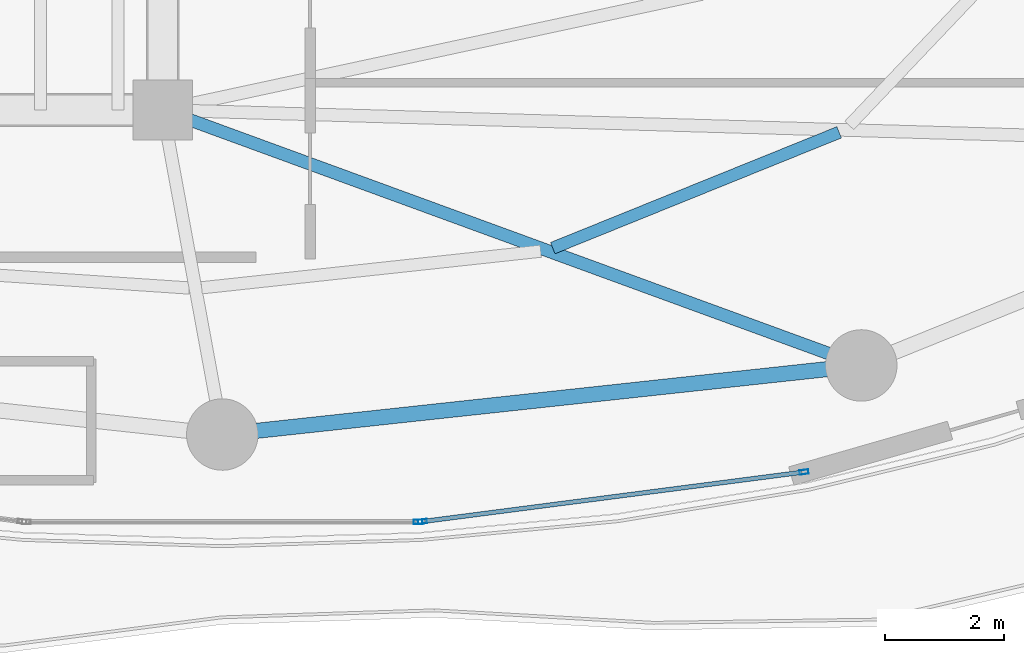
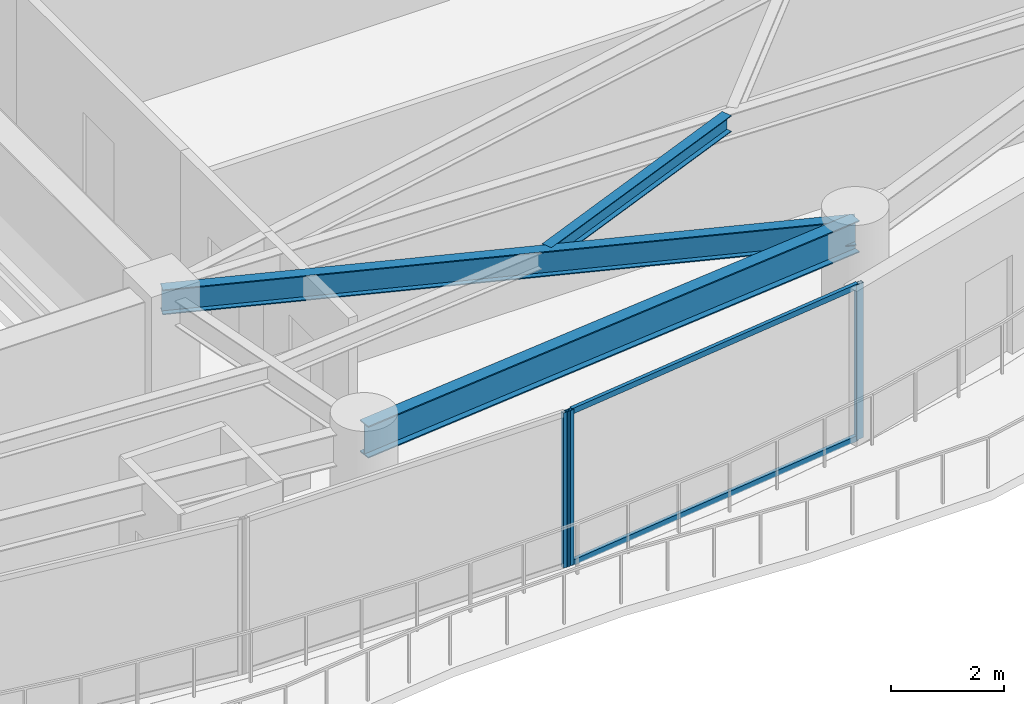
# One storey, part 9 of 28: 5 members, 3 beams, 2 elements without a shape of their own.
"""IFC4 building model written with IfcOpenShell, lengths in metres."""

from ifc_helpers import new_model, si_unit, direction, frame, origin, origin_2d, place, context, subcontext, project, spatial, hollow_rectangle, i_section, extrude, material, layer, layer_set, material_profile, profile_set, type_object, element, aggregate, save


model = new_model("IFC4")

# Units and contexts
model_context = context("Model", 3, precision=1e-05, world=origin(), true_north=direction((0.0, 1.0)))
body_context = subcontext(model_context, "Body", "Model", "MODEL_VIEW")
ifc_project = project(units=[si_unit("LENGTHUNIT", "METRE"), si_unit("AREAUNIT", "SQUARE_METRE"), si_unit("VOLUMEUNIT", "CUBIC_METRE"), si_unit("PLANEANGLEUNIT", "RADIAN"), si_unit("MASSUNIT", "GRAM", prefix="KILO")], contexts=[model_context])

# Site, building, storey
site_placement = place(None, origin())
site = spatial("IfcSite", under=ifc_project, at=site_placement, CompositionType="ELEMENT")
building_placement = place(site_placement, origin())
building = spatial("IfcBuilding", under=site, at=building_placement, Name="Kazevale Care Tower and Concert Hall", CompositionType="ELEMENT")
storey_placement = place(building_placement, frame((0.0, 0.0, 102.60009765625)))
storey = spatial("IfcBuildingStorey", under=building, at=storey_placement, Name="L26", CompositionType="ELEMENT", Elevation=102.60009765625)

# Curtain wall, members
ifc_material_1 = material(Name="Aluminium 6063-T6 and Low-E Glass", Category="aluminium")
ifc_layer = layer(ifc_material_1, 0.179931640625)
ifc_layer_set = layer_set([ifc_layer], Name="Aluminium 6063-T6 and Low-E Glass")
curtain_wall_type = type_object("IfcCurtainWallType", Name="Sheltered Concave Balcony Curtain Wall CW-5", PredefinedType="NOTDEFINED", material=ifc_layer_set)
curtain_wall_1_placement = place(storey_placement, origin())
curtain_wall_1 = element("IfcCurtainWall", 1, at=curtain_wall_1_placement, inside=storey, type_object=curtain_wall_type, Name="cw:L26:f05", PredefinedType="NOTDEFINED")
ifc_material_2 = material(Name="Aluminium 6063-T6", Category="aluminium")
ifc_material_profile_1 = material_profile(ifc_material_2, hollow_rectangle(XDim=0.074951171875, YDim=0.14990234375, WallThickness=0.00390625, at=origin_2d()), Name="ALU75x150x4")
ifc_profile_set_1 = profile_set([ifc_material_profile_1], Name="Aluminium 6063-T6")
member_type_1 = type_object("IfcMemberType", Name="CW-5 Mullion ALU75x150x4", PredefinedType="MULLION", material=ifc_profile_set_1)
member_1_placement = place(storey_placement, frame((54.768798828125, 17.520263671875, 0.0), z_axis=(0.0, 0.0, 1.0), x_axis=(0.12868500567, -0.991685519364, 0.0)))
member_1 = element("IfcMember", 2, at=member_1_placement, type_object=member_type_1, Name="CW-5 mullion 1", PredefinedType="MULLION", context=body_context, shape_type="SweptSolid", body=[
    extrude(hollow_rectangle(XDim=0.074951171875, YDim=0.14990234375, WallThickness=0.00390625, at=origin_2d()), origin(), (0.0, 0.0, 1.0), 3.35986328125),
])
member_2_placement = place(storey_placement, frame((48.3623046875, 16.688720703125, 0.0), z_axis=(0.0, 0.0, 1.0), x_axis=(0.12868500567, -0.991685519364, 0.0)))
member_2 = element("IfcMember", 3, at=member_2_placement, type_object=member_type_1, Name="CW-5 mullion 2", PredefinedType="MULLION", context=body_context, shape_type="SweptSolid", body=[
    extrude(hollow_rectangle(XDim=0.074951171875, YDim=0.14990234375, WallThickness=0.00390625, at=origin_2d()), origin(), (0.0, 0.0, 1.0), 3.35986328125),
])

# Curtain wall, member
curtain_wall_2_placement = place(storey_placement, origin())
curtain_wall_2 = element("IfcCurtainWall", 4, at=curtain_wall_2_placement, inside=storey, type_object=curtain_wall_type, Name="cw:L26:f06", PredefinedType="NOTDEFINED")
member_3_placement = place(storey_placement, frame((48.28759765625, 16.68408203125, 0.0), z_axis=(0.0, 0.0, 1.0), x_axis=(0.0, -1.0, 0.0)))
member_3 = element("IfcMember", 5, at=member_3_placement, type_object=member_type_1, Name="CW-5 mullion 1", PredefinedType="MULLION", context=body_context, shape_type="SweptSolid", body=[
    extrude(hollow_rectangle(XDim=0.074951171875, YDim=0.14990234375, WallThickness=0.00390625, at=origin_2d()), origin(), (0.0, 0.0, 1.0), 3.35986328125),
])
aggregate(curtain_wall_2, [member_3])

# Member
ifc_material_profile_2 = material_profile(ifc_material_2, hollow_rectangle(XDim=0.074951171875, YDim=0.1201171875, WallThickness=0.00390625, at=origin_2d()), Name="ALU75x120x4")
ifc_profile_set_2 = profile_set([ifc_material_profile_2], Name="Aluminium 6063-T6")
member_type_2 = type_object("IfcMemberType", Name="CW-5 Transom ALU75x120x4", PredefinedType="USERDEFINED", material=ifc_profile_set_2)
member_4_placement = place(storey_placement, frame((54.731689453125, 17.515380859375, 0.037353515625), z_axis=(-0.991683991743, -0.12869677743, 0.0), x_axis=(0.12869677743, -0.991683991743, 0.0)))
member_4 = element("IfcMember", 6, at=member_4_placement, type_object=member_type_2, Name="CW-5 transom 1.1", ObjectType="TRANSOM", PredefinedType="USERDEFINED", context=body_context, shape_type="SweptSolid", body=[
    extrude(hollow_rectangle(XDim=0.074951171875, YDim=0.1201171875, WallThickness=0.00390625, at=origin_2d()), origin(), (0.0, 0.0, 1.0), 6.385498046875),
])

member_5_placement = place(storey_placement, frame((54.731689453125, 17.515380859375, 3.322509765625), z_axis=(-0.991683991743, -0.12869677743, 0.0), x_axis=(0.12869677743, -0.991683991743, 0.0)))
member_5 = element("IfcMember", 7, at=member_5_placement, type_object=member_type_2, Name="CW-5 transom 1.2", ObjectType="TRANSOM", PredefinedType="USERDEFINED", context=body_context, shape_type="SweptSolid", body=[
    extrude(hollow_rectangle(XDim=0.074951171875, YDim=0.1201171875, WallThickness=0.00390625, at=origin_2d()), origin(), (0.0, 0.0, 1.0), 6.385498046875),
])

aggregate(curtain_wall_1, [member_1, member_2, member_4, member_5])

# Beams
ifc_material_3 = material(Name="Steel ASTM A572 Gr 50", Category="steel")
ifc_material_profile_3 = material_profile(ifc_material_3, i_section(OverallWidth=0.2119140625, OverallDepth=0.5439453125, WebThickness=0.01318359375, FlangeThickness=0.021240234375, at=origin_2d()), Name="W530x123")
ifc_profile_set_3 = profile_set([ifc_material_profile_3], Name="Steel ASTM A572 Gr 50")
beam_type_1 = type_object("IfcBeamType", Name="Radial Floor Girder W530x123", PredefinedType="BEAM", material=ifc_profile_set_3)
beam_1_placement = place(storey_placement, frame((44.0, 23.60009765625, 3.087890625), z_axis=(0.939159459123, -0.343481455599, 0.0), x_axis=(0.343481455599, 0.939159459123, 0.0)))
element("IfcBeam", 8, at=beam_1_placement, inside=storey, type_object=beam_type_1, Name="beam:L26:rad:14", PredefinedType="BEAM", context=body_context, shape_type="SweptSolid", body=[
    extrude(i_section(OverallWidth=0.2119140625, OverallDepth=0.5439453125, WebThickness=0.01318359375, FlangeThickness=0.021240234375, at=origin_2d()), origin(), (0.0, 0.0, 1.0), 12.489990234375),
])
ifc_material_profile_4 = material_profile(ifc_material_3, i_section(OverallWidth=0.205078125, OverallDepth=0.35400390625, WebThickness=0.009521484375, FlangeThickness=0.016845703125, at=origin_2d()), Name="W360x79")
ifc_profile_set_4 = profile_set([ifc_material_profile_4], Name="Steel ASTM A572 Gr 50")
beam_type_2 = type_object("IfcBeamType", Name="Secondary Floor Joist W360x79", PredefinedType="JOIST", material=ifc_profile_set_4)
beam_2_placement = place(storey_placement, frame((50.549072265625, 21.280029296875, 3.182861328125), z_axis=(0.927064833216, 0.374901046964, 0.0), x_axis=(-0.374901046964, 0.927064833216, 0.0)))
element("IfcBeam", 9, at=beam_2_placement, inside=storey, type_object=beam_type_2, Name="beam:L26:joist:14", PredefinedType="JOIST", context=body_context, shape_type="SweptSolid", body=[
    extrude(i_section(OverallWidth=0.205078125, OverallDepth=0.35400390625, WebThickness=0.009521484375, FlangeThickness=0.016845703125, at=origin_2d()), origin(), (0.0, 0.0, 1.0), 5.188232421875),
])
ifc_material_profile_5 = material_profile(ifc_material_3, i_section(OverallWidth=0.256103515625, OverallDepth=0.693115234375, WebThickness=0.014404296875, FlangeThickness=0.023681640625, at=origin_2d()), Name="W690x170")
ifc_profile_set_5 = profile_set([ifc_material_profile_5], Name="Steel ASTM A572 Gr 50")
beam_type_3 = type_object("IfcBeamType", Name="Waist Ring Beam W690x170", PredefinedType="BEAM", material=ifc_profile_set_5)
beam_3_placement = place(storey_placement, frame((45.0, 18.14990234375, 3.013427734375), z_axis=(0.994205479487, 0.107496346724, 0.0), x_axis=(-0.107496346724, 0.994205479487, 0.0)))
element("IfcBeam", 10, at=beam_3_placement, inside=storey, type_object=beam_type_3, Name="beam:L26:ring:13", PredefinedType="BEAM", context=body_context, shape_type="SweptSolid", body=[
    extrude(i_section(OverallWidth=0.256103515625, OverallDepth=0.693115234375, WebThickness=0.014404296875, FlangeThickness=0.023681640625, at=origin_2d()), origin(), (0.0, 0.0, 1.0), 10.79248046875),
])

save(model, "model.ifc")
